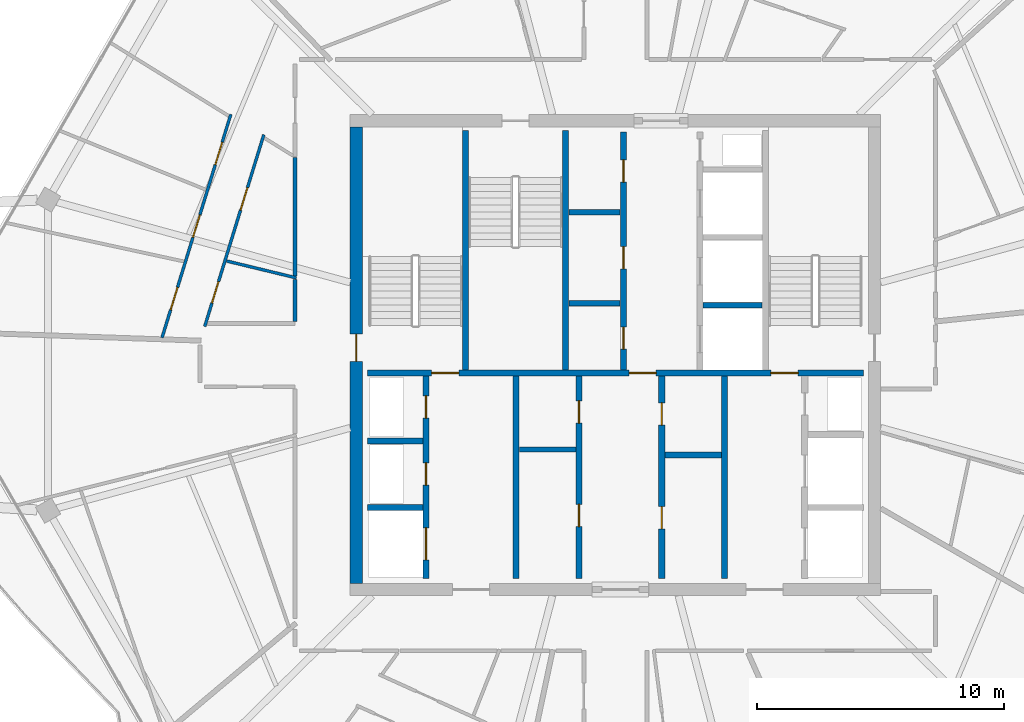
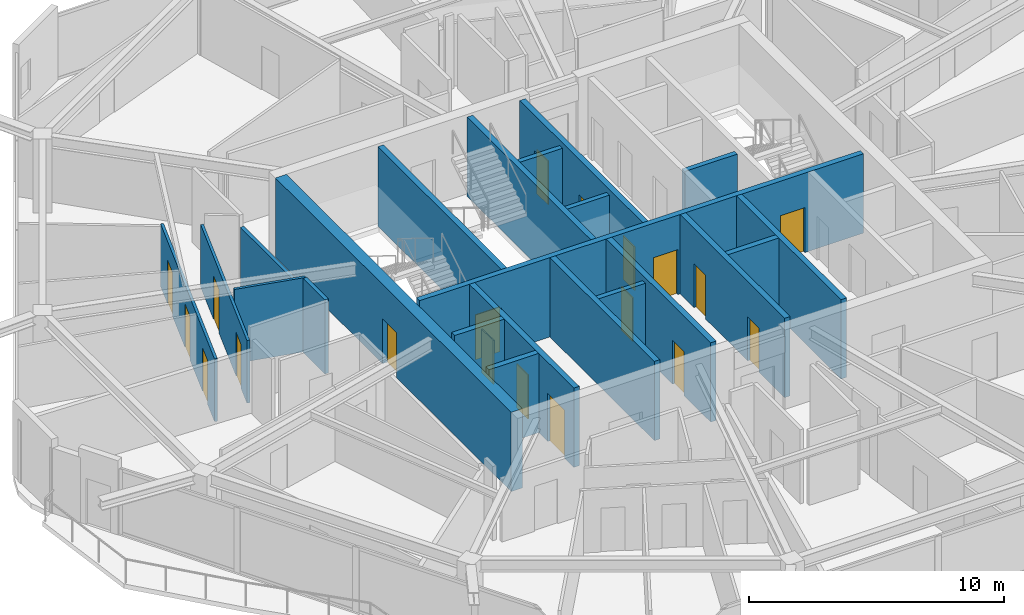
# One storey, part 13 of 18: 22 walls, 19 doors, 19 openings.
"""IFC4 building model written with IfcOpenShell, lengths in metres."""

from ifc_helpers import new_model, si_unit, direction, frame, frame_2d, origin, place, context, subcontext, project, spatial, rectangle, extrude, material, layer, layer_set, type_object, element, fill, save


model = new_model("IFC4")

# Units and contexts
model_context = context("Model", 3, precision=1e-05, world=origin(), true_north=direction((0.0, 1.0)))
body_context = subcontext(model_context, "Body", "Model", "MODEL_VIEW")
ifc_project = project(units=[si_unit("LENGTHUNIT", "METRE"), si_unit("AREAUNIT", "SQUARE_METRE"), si_unit("VOLUMEUNIT", "CUBIC_METRE"), si_unit("PLANEANGLEUNIT", "RADIAN"), si_unit("MASSUNIT", "GRAM", prefix="KILO")], contexts=[model_context])

# Site, building, storey
site_placement = place(None, origin())
site = spatial("IfcSite", under=ifc_project, at=site_placement, CompositionType="ELEMENT")
building_placement = place(site_placement, origin())
building = spatial("IfcBuilding", under=site, at=building_placement, Name="Zuhravey Tower", CompositionType="ELEMENT")
storey_placement = place(building_placement, frame((0.0, 0.0, 342.39990234375)))
storey = spatial("IfcBuildingStorey", under=building, at=storey_placement, Name="L87", CompositionType="ELEMENT", Elevation=342.39990234375)

# Wall, opening, door
ifc_material_1 = material(Name="Concrete C50/60", Category="concrete")
ifc_layer_1 = layer(ifc_material_1, 0.5)
ifc_layer_set_1 = layer_set([ifc_layer_1], Name="Concrete C50/60")
wall_type_1 = type_object("IfcWallType", Name="Core Shear Wall 500", PredefinedType="SHEAR", material=ifc_layer_set_1)
wall_1_placement = place(storey_placement, frame((25.5, 22.75, 0.0), z_axis=(0.0, 0.0, 1.0), x_axis=(0.0, 1.0, 0.0)))
wall_1 = element("IfcWall", 1, at=wall_1_placement, inside=storey, type_object=wall_type_1, Name="L87 West Core Shear Wall CW50", PredefinedType="SHEAR", context=body_context, shape_type="SweptSolid", body=[
    extrude(rectangle(XDim=18.5, YDim=0.5, at=frame_2d((9.25, 0.0))), origin(), (0.0, 0.0, 1.0), 3.800048828125),
])
opening_1_placement = place(wall_1_placement, frame((9.0, 0.0, 0.0)))
opening_1 = element("IfcOpeningElement", 2, at=opening_1_placement, cuts=wall_1, Name="Opening STD1", PredefinedType="OPENING", context=body_context, shape_type="SweptSolid", body=[
    extrude(rectangle(XDim=1.10009765625, YDim=2.14990234375, at=frame_2d((0.550048828125, 1.074951171875))), frame((0.0, 0.261962890625, 0.0), z_axis=(0.0, -1.0, 0.0), x_axis=(1.0, 0.0, 0.0)), (0.0, 0.0, 1.0), 0.52392578125),
])
ifc_material_2 = material(Name="Galvanised fire-rated steel leaf", Category="steel")
door_type_1 = type_object("IfcDoorType", Name="Protected Stair Fire Door 1100x2150", OperationType="NOTDEFINED", PredefinedType="USERDEFINED", material=ifc_material_2)
door_1_placement = place(opening_1_placement, frame((1.10009765625, 0.0, 0.0), z_axis=(0.0, 0.0, 1.0), x_axis=(-1.0, 0.0, 0.0)))
door_1 = element("IfcDoor", 3, at=door_1_placement, inside=storey, type_object=door_type_1, Name="L87 Stair ST1 Door", ObjectType="EXITDOOR", OperationType="SINGLE_SWING_RIGHT", OverallHeight=2.14990234375, OverallWidth=1.10009765625, PredefinedType="USERDEFINED", context=body_context, shape_type="SweptSolid", body=[
    extrude(rectangle(XDim=1.10009765625, YDim=2.14990234375, at=frame_2d((0.550048828125, 1.074951171875))), frame((0.0, 0.02490234375, 0.0), z_axis=(0.0, -1.0, 0.0), x_axis=(1.0, 0.0, 0.0)), (0.0, 0.0, 1.0), 0.050048828125),
])
fill(opening_1, door_1)

# Walls
ifc_material_3 = material(Name="Gypsum fire-rated stud partition")
ifc_layer_2 = layer(ifc_material_3, 0.159912109375)
ifc_layer_set_2 = layer_set([ifc_layer_2], Name="Gypsum fire-rated stud partition")
wall_type_2 = type_object("IfcWallType", Name="Corridor Fire Partition 160", PredefinedType="PARTITIONING", material=ifc_layer_set_2)
wall_2_placement = place(storey_placement, frame((23.02001953125, 40.005615234375, 0.0), z_axis=(0.0, 0.0, 1.0), x_axis=(0.0, -1.0, 0.0)))
element("IfcWall", 4, at=wall_2_placement, inside=storey, type_object=wall_type_2, Name="L87 IW16 Partition 110", PredefinedType="PARTITIONING", context=body_context, shape_type="SweptSolid", body=[
    extrude(rectangle(XDim=4.792724609375, YDim=0.159912109375, at=frame_2d((2.396484375, 0.0))), origin(), (0.0, 0.0, 1.0), 3.0),
])
wall_3_placement = place(storey_placement, frame((23.02001953125, 35.072998046875, 0.0), z_axis=(0.0, 0.0, 1.0), x_axis=(0.0, -1.0, 0.0)))
element("IfcWall", 5, at=wall_3_placement, inside=storey, type_object=wall_type_2, Name="L87 IW16 Partition 112", PredefinedType="PARTITIONING", context=body_context, shape_type="SweptSolid", body=[
    extrude(rectangle(XDim=1.705078125, YDim=0.159912109375, at=frame_2d((0.8525390625, 0.0))), origin(), (0.0, 0.0, 1.0), 3.550048828125),
])

# Wall, openings, doors
ifc_layer_3 = layer(ifc_material_1, 0.25)
ifc_layer_set_3 = layer_set([ifc_layer_3], Name="Concrete C50/60")
wall_type_3 = type_object("IfcWallType", Name="Firefighting Shaft & Stair Wall 250", PredefinedType="SOLIDWALL", material=ifc_layer_set_3)
wall_4_placement = place(storey_placement, frame((25.949951171875, 31.27490234375, 0.0), z_axis=(0.0, 0.0, 1.0), x_axis=(1.0, 0.0, 0.0)))
wall_4 = element("IfcWall", 6, at=wall_4_placement, inside=storey, type_object=wall_type_3, Name="L87 FW25 Shaft Wall 003", PredefinedType="SOLIDWALL", context=body_context, shape_type="SweptSolid", body=[
    extrude(rectangle(XDim=20.10009765625, YDim=0.25, at=frame_2d((10.050048828125, 0.0))), origin(), (0.0, 0.0, 1.0), 3.800048828125),
])
opening_2_placement = place(wall_4_placement, frame((2.60009765625, 0.0, 0.0)))
opening_2 = element("IfcOpeningElement", 7, at=opening_2_placement, cuts=wall_4, Name="Opening STD1", PredefinedType="OPENING", context=body_context, shape_type="SweptSolid", body=[
    extrude(rectangle(XDim=1.10009765625, YDim=2.14990234375, at=frame_2d((0.550048828125, 1.074951171875))), frame((0.0, 0.136962890625, 0.0), z_axis=(0.0, -1.0, 0.0), x_axis=(1.0, 0.0, 0.0)), (0.0, 0.0, 1.0), 0.27392578125),
])
opening_3_placement = place(wall_4_placement, frame((10.60009765625, 0.0, 0.0)))
opening_3 = element("IfcOpeningElement", 8, at=opening_3_placement, cuts=wall_4, Name="Opening STD1", PredefinedType="OPENING", context=body_context, shape_type="SweptSolid", body=[
    extrude(rectangle(XDim=1.10009765625, YDim=2.14990234375, at=frame_2d((0.550048828125, 1.074951171875))), frame((0.0, 0.136962890625, 0.0), z_axis=(0.0, -1.0, 0.0), x_axis=(1.0, 0.0, 0.0)), (0.0, 0.0, 1.0), 0.27392578125),
])
opening_4_placement = place(wall_4_placement, frame((16.35009765625, 0.0, 0.0)))
opening_4 = element("IfcOpeningElement", 9, at=opening_4_placement, cuts=wall_4, Name="Opening STD1", PredefinedType="OPENING", context=body_context, shape_type="SweptSolid", body=[
    extrude(rectangle(XDim=1.10009765625, YDim=2.14990234375, at=frame_2d((0.550048828125, 1.074951171875))), frame((0.0, 0.136962890625, 0.0), z_axis=(0.0, -1.0, 0.0), x_axis=(1.0, 0.0, 0.0)), (0.0, 0.0, 1.0), 0.27392578125),
])
door_2_placement = place(opening_2_placement, origin())
door_2 = element("IfcDoor", 10, at=door_2_placement, inside=storey, type_object=door_type_1, Name="L87 FFL-W to ST1 Door", ObjectType="EXITDOOR", OperationType="SINGLE_SWING_LEFT", OverallHeight=2.14990234375, OverallWidth=1.10009765625, PredefinedType="USERDEFINED", context=body_context, shape_type="SweptSolid", body=[
    extrude(rectangle(XDim=1.10009765625, YDim=2.14990234375, at=frame_2d((0.550048828125, 1.074951171875))), frame((0.0, 0.02490234375, 0.0), z_axis=(0.0, -1.0, 0.0), x_axis=(1.0, 0.0, 0.0)), (0.0, 0.0, 1.0), 0.050048828125),
])
fill(opening_2, door_2)
door_3_placement = place(opening_3_placement, origin())
door_3 = element("IfcDoor", 11, at=door_3_placement, inside=storey, type_object=door_type_1, Name="L87 Core Lobby Link Door", ObjectType="EXITDOOR", OperationType="SINGLE_SWING_RIGHT", OverallHeight=2.14990234375, OverallWidth=1.10009765625, PredefinedType="USERDEFINED", context=body_context, shape_type="SweptSolid", body=[
    extrude(rectangle(XDim=1.10009765625, YDim=2.14990234375, at=frame_2d((0.550048828125, 1.074951171875))), frame((0.0, 0.02490234375, 0.0), z_axis=(0.0, -1.0, 0.0), x_axis=(1.0, 0.0, 0.0)), (0.0, 0.0, 1.0), 0.050048828125),
])
fill(opening_3, door_3)
door_4_placement = place(opening_4_placement, origin())
door_4 = element("IfcDoor", 12, at=door_4_placement, inside=storey, type_object=door_type_1, Name="L87 FFL-E to ST2 Door", ObjectType="EXITDOOR", OperationType="SINGLE_SWING_LEFT", OverallHeight=2.14990234375, OverallWidth=1.10009765625, PredefinedType="USERDEFINED", context=body_context, shape_type="SweptSolid", body=[
    extrude(rectangle(XDim=1.10009765625, YDim=2.14990234375, at=frame_2d((0.550048828125, 1.074951171875))), frame((0.0, 0.02490234375, 0.0), z_axis=(0.0, -1.0, 0.0), x_axis=(1.0, 0.0, 0.0)), (0.0, 0.0, 1.0), 0.050048828125),
])
fill(opening_4, door_4)

# Walls
for number, where, z_axis, x_axis, name in (
    (13, (29.925048828125, 31.39990234375, 0.0), (0.0, 0.0, 1.0), (0.0, 1.0, 0.0), "L87 FW25 Shaft Wall 004"),
    (14, (33.97509765625, 31.39990234375, 0.0), (0.0, 0.0, 1.0), (0.0, 1.0, 0.0), "L87 FW25 Shaft Wall 005"),
):
    element("IfcWall", number, at=place(storey_placement, frame(where, z_axis=z_axis, x_axis=x_axis)), inside=storey, type_object=wall_type_3, Name=name, PredefinedType="SOLIDWALL", context=body_context, shape_type="SweptSolid", body=[
        extrude(rectangle(XDim=9.7001953125, YDim=0.25, at=frame_2d((4.85009765625, 0.0))), origin(), (0.0, 0.0, 1.0), 3.800048828125),
    ])

# Wall, openings, doors
wall_5_placement = place(storey_placement, frame((36.324951171875, 31.39990234375, 0.0), z_axis=(0.0, 0.0, 1.0), x_axis=(0.0, 1.0, 0.0)))
wall_5 = element("IfcWall", 15, at=wall_5_placement, inside=storey, type_object=wall_type_3, Name="L87 FW25 Shaft Wall 007", PredefinedType="SOLIDWALL", context=body_context, shape_type="SweptSolid", body=[
    extrude(rectangle(XDim=9.650146484375, YDim=0.25, at=frame_2d((4.8251953125, 0.0))), origin(), (0.0, 0.0, 1.0), 3.800048828125),
])
opening_5_placement = place(wall_5_placement, frame((0.840087890625, 0.0, 0.0)))
opening_5 = element("IfcOpeningElement", 16, at=opening_5_placement, cuts=wall_5, Name="Opening RSD1", PredefinedType="OPENING", context=body_context, shape_type="SweptSolid", body=[
    extrude(rectangle(XDim=0.89990234375, YDim=2.10009765625, at=frame_2d((0.449951171875, 1.050048828125))), frame((0.0, 0.136962890625, 0.0), z_axis=(0.0, -1.0, 0.0), x_axis=(1.0, 0.0, 0.0)), (0.0, 0.0, 1.0), 0.27392578125),
])
opening_6_placement = place(wall_5_placement, frame((4.10009765625, 0.0, 0.0)))
opening_6 = element("IfcOpeningElement", 17, at=opening_6_placement, cuts=wall_5, Name="Opening RSD1", PredefinedType="OPENING", context=body_context, shape_type="SweptSolid", body=[
    extrude(rectangle(XDim=0.89990234375, YDim=2.10009765625, at=frame_2d((0.449951171875, 1.050048828125))), frame((0.0, 0.136962890625, 0.0), z_axis=(0.0, -1.0, 0.0), x_axis=(1.0, 0.0, 0.0)), (0.0, 0.0, 1.0), 0.27392578125),
])
opening_7_placement = place(wall_5_placement, frame((7.610107421875, 0.0, 0.0)))
opening_7 = element("IfcOpeningElement", 18, at=opening_7_placement, cuts=wall_5, Name="Opening RSD1", PredefinedType="OPENING", context=body_context, shape_type="SweptSolid", body=[
    extrude(rectangle(XDim=0.89990234375, YDim=2.10009765625, at=frame_2d((0.449951171875, 1.050048828125))), frame((0.0, 0.136962890625, 0.0), z_axis=(0.0, -1.0, 0.0), x_axis=(1.0, 0.0, 0.0)), (0.0, 0.0, 1.0), 0.27392578125),
])
ifc_material_4 = material(Name="Galvanised fire-rated steel access leaf", Category="steel")
door_type_2 = type_object("IfcDoorType", Name="Riser & Shaft Access Fire Door 900x2100", OperationType="NOTDEFINED", PredefinedType="DOOR", material=ifc_material_4)
door_5_placement = place(opening_5_placement, origin())
door_5 = element("IfcDoor", 19, at=door_5_placement, inside=storey, type_object=door_type_2, Name="L87 Core Staff WC Door", OperationType="SINGLE_SWING_RIGHT", OverallHeight=2.10009765625, OverallWidth=0.89990234375, PredefinedType="DOOR", context=body_context, shape_type="SweptSolid", body=[
    extrude(rectangle(XDim=0.89990234375, YDim=2.10009765625, at=frame_2d((0.449951171875, 1.050048828125))), frame((0.0, 0.02490234375, 0.0), z_axis=(0.0, -1.0, 0.0), x_axis=(1.0, 0.0, 0.0)), (0.0, 0.0, 1.0), 0.050048828125),
])
fill(opening_5, door_5)
door_6_placement = place(opening_6_placement, origin())
door_6 = element("IfcDoor", 20, at=door_6_placement, inside=storey, type_object=door_type_2, Name="L87 IT and Comms Room Door", OperationType="SINGLE_SWING_LEFT", OverallHeight=2.10009765625, OverallWidth=0.89990234375, PredefinedType="DOOR", context=body_context, shape_type="SweptSolid", body=[
    extrude(rectangle(XDim=0.89990234375, YDim=2.10009765625, at=frame_2d((0.449951171875, 1.050048828125))), frame((0.0, 0.02490234375, 0.0), z_axis=(0.0, -1.0, 0.0), x_axis=(1.0, 0.0, 0.0)), (0.0, 0.0, 1.0), 0.050048828125),
])
fill(opening_6, door_6)
door_7_placement = place(opening_7_placement, origin())
door_7 = element("IfcDoor", 21, at=door_7_placement, inside=storey, type_object=door_type_2, Name="L87 Janitor Linen Store Door", OperationType="SINGLE_SWING_RIGHT", OverallHeight=2.10009765625, OverallWidth=0.89990234375, PredefinedType="DOOR", context=body_context, shape_type="SweptSolid", body=[
    extrude(rectangle(XDim=0.89990234375, YDim=2.10009765625, at=frame_2d((0.449951171875, 1.050048828125))), frame((0.0, 0.02490234375, 0.0), z_axis=(0.0, -1.0, 0.0), x_axis=(1.0, 0.0, 0.0)), (0.0, 0.0, 1.0), 0.050048828125),
])
fill(opening_7, door_7)

# Walls
for number, where, z_axis, x_axis, name in (
    (22, (25.949951171875, 25.824951171875, 0.0), (0.0, 0.0, 1.0), (1.0, 0.0, 0.0), "L87 FW25 Shaft Wall 009"),
    (23, (25.949951171875, 28.52490234375, 0.0), (0.0, 0.0, 1.0), (1.0, 0.0, 0.0), "L87 FW25 Shaft Wall 010"),
):
    element("IfcWall", number, at=place(storey_placement, frame(where, z_axis=z_axis, x_axis=x_axis)), inside=storey, type_object=wall_type_3, Name=name, PredefinedType="SOLIDWALL", context=body_context, shape_type="SweptSolid", body=[
        extrude(rectangle(XDim=2.25, YDim=0.25, at=frame_2d((1.125, 0.0))), origin(), (0.0, 0.0, 1.0), 3.800048828125),
    ])

# Wall, openings, doors
wall_6_placement = place(storey_placement, frame((28.324951171875, 22.949951171875, 0.0), z_axis=(0.0, 0.0, 1.0), x_axis=(0.0, 1.0, 0.0)))
wall_6 = element("IfcWall", 24, at=wall_6_placement, inside=storey, type_object=wall_type_3, Name="L87 FW25 Shaft Wall 011", PredefinedType="SOLIDWALL", context=body_context, shape_type="SweptSolid", body=[
    extrude(rectangle(XDim=8.199951171875, YDim=0.25, at=frame_2d((4.10009765625, 0.0))), origin(), (0.0, 0.0, 1.0), 3.800048828125),
])
opening_8_placement = place(wall_6_placement, frame((0.75, 0.0, 0.0)))
opening_8 = element("IfcOpeningElement", 25, at=opening_8_placement, cuts=wall_6, Name="Opening LD2", PredefinedType="OPENING", context=body_context, shape_type="SweptSolid", body=[
    extrude(rectangle(XDim=1.300048828125, YDim=2.300048828125, at=frame_2d((0.64990234375, 1.14990234375))), frame((0.0, 0.136962890625, 0.0), z_axis=(0.0, -1.0, 0.0), x_axis=(1.0, 0.0, 0.0)), (0.0, 0.0, 1.0), 0.27392578125),
])
opening_9_placement = place(wall_6_placement, frame((3.780029296875, 0.0, 0.0)))
opening_9 = element("IfcOpeningElement", 26, at=opening_9_placement, cuts=wall_6, Name="Opening RSD1", PredefinedType="OPENING", context=body_context, shape_type="SweptSolid", body=[
    extrude(rectangle(XDim=0.89990234375, YDim=2.10009765625, at=frame_2d((0.449951171875, 1.050048828125))), frame((0.0, 0.136962890625, 0.0), z_axis=(0.0, -1.0, 0.0), x_axis=(1.0, 0.0, 0.0)), (0.0, 0.0, 1.0), 0.27392578125),
])
opening_10_placement = place(wall_6_placement, frame((6.5, 0.0, 0.0)))
opening_10 = element("IfcOpeningElement", 27, at=opening_10_placement, cuts=wall_6, Name="Opening RSD1", PredefinedType="OPENING", context=body_context, shape_type="SweptSolid", body=[
    extrude(rectangle(XDim=0.89990234375, YDim=2.10009765625, at=frame_2d((0.449951171875, 1.050048828125))), frame((0.0, 0.136962890625, 0.0), z_axis=(0.0, -1.0, 0.0), x_axis=(1.0, 0.0, 0.0)), (0.0, 0.0, 1.0), 0.27392578125),
])
ifc_material_5 = material(Name="Brushed stainless steel", Category="steel")
door_type_3 = type_object("IfcDoorType", Name="Freight & Stretcher Lift Sliding Door 1300x2300", OperationType="DOUBLE_DOOR_SLIDING", PredefinedType="DOOR", material=ifc_material_5)
door_8_placement = place(opening_8_placement, frame((1.300048828125, 0.0, 0.0), z_axis=(0.0, 0.0, 1.0), x_axis=(-1.0, 0.0, 0.0)))
door_8 = element("IfcDoor", 28, at=door_8_placement, inside=storey, type_object=door_type_3, Name="L87 Lift FF1 Landing Door", OperationType="DOUBLE_DOOR_SLIDING", OverallHeight=2.300048828125, OverallWidth=1.300048828125, PredefinedType="DOOR", context=body_context, shape_type="SweptSolid", body=[
    extrude(rectangle(XDim=1.300048828125, YDim=2.300048828125, at=frame_2d((0.64990234375, 1.14990234375))), frame((0.0, 0.02490234375, 0.0), z_axis=(0.0, -1.0, 0.0), x_axis=(1.0, 0.0, 0.0)), (0.0, 0.0, 1.0), 0.050048828125),
])
fill(opening_8, door_8)
door_9_placement = place(opening_9_placement, frame((0.89990234375, 0.0, 0.0), z_axis=(0.0, 0.0, 1.0), x_axis=(-1.0, 0.0, 0.0)))
door_9 = element("IfcDoor", 29, at=door_9_placement, inside=storey, type_object=door_type_2, Name="L87 Electrical Riser Door", OperationType="SINGLE_SWING_RIGHT", OverallHeight=2.10009765625, OverallWidth=0.89990234375, PredefinedType="DOOR", context=body_context, shape_type="SweptSolid", body=[
    extrude(rectangle(XDim=0.89990234375, YDim=2.10009765625, at=frame_2d((0.449951171875, 1.050048828125))), frame((0.0, 0.02490234375, 0.0), z_axis=(0.0, -1.0, 0.0), x_axis=(1.0, 0.0, 0.0)), (0.0, 0.0, 1.0), 0.050048828125),
])
fill(opening_9, door_9)
door_10_placement = place(opening_10_placement, frame((0.89990234375, 0.0, 0.0), z_axis=(0.0, 0.0, 1.0), x_axis=(-1.0, 0.0, 0.0)))
door_10 = element("IfcDoor", 30, at=door_10_placement, inside=storey, type_object=door_type_2, Name="L87 Smoke Shaft Access Door", OperationType="SINGLE_SWING_LEFT", OverallHeight=2.10009765625, OverallWidth=0.89990234375, PredefinedType="DOOR", context=body_context, shape_type="SweptSolid", body=[
    extrude(rectangle(XDim=0.89990234375, YDim=2.10009765625, at=frame_2d((0.449951171875, 1.050048828125))), frame((0.0, 0.02490234375, 0.0), z_axis=(0.0, -1.0, 0.0), x_axis=(1.0, 0.0, 0.0)), (0.0, 0.0, 1.0), 0.050048828125),
])
fill(opening_10, door_10)

# Wall
wall_7_placement = place(storey_placement, frame((31.97509765625, 22.949951171875, 0.0), z_axis=(0.0, 0.0, 1.0), x_axis=(0.0, 1.0, 0.0)))
element("IfcWall", 31, at=wall_7_placement, inside=storey, type_object=wall_type_3, Name="L87 FW25 Shaft Wall 012", PredefinedType="SOLIDWALL", context=body_context, shape_type="SweptSolid", body=[
    extrude(rectangle(XDim=8.199951171875, YDim=0.25, at=frame_2d((4.10009765625, 0.0))), origin(), (0.0, 0.0, 1.0), 3.800048828125),
])

# Wall, openings, doors
wall_8_placement = place(storey_placement, frame((34.52490234375, 22.949951171875, 0.0), z_axis=(0.0, 0.0, 1.0), x_axis=(0.0, 1.0, 0.0)))
wall_8 = element("IfcWall", 32, at=wall_8_placement, inside=storey, type_object=wall_type_3, Name="L87 FW25 Shaft Wall 013", PredefinedType="SOLIDWALL", context=body_context, shape_type="SweptSolid", body=[
    extrude(rectangle(XDim=8.199951171875, YDim=0.25, at=frame_2d((4.10009765625, 0.0))), origin(), (0.0, 0.0, 1.0), 3.800048828125),
])
opening_11_placement = place(wall_8_placement, frame((2.10009765625, 0.0, 0.0)))
opening_11 = element("IfcOpeningElement", 33, at=opening_11_placement, cuts=wall_8, Name="Opening RSD1", PredefinedType="OPENING", context=body_context, shape_type="SweptSolid", body=[
    extrude(rectangle(XDim=0.89990234375, YDim=2.10009765625, at=frame_2d((0.449951171875, 1.050048828125))), frame((0.0, 0.136962890625, 0.0), z_axis=(0.0, -1.0, 0.0), x_axis=(1.0, 0.0, 0.0)), (0.0, 0.0, 1.0), 0.27392578125),
])
opening_12_placement = place(wall_8_placement, frame((6.300048828125, 0.0, 0.0)))
opening_12 = element("IfcOpeningElement", 34, at=opening_12_placement, cuts=wall_8, Name="Opening RSD1", PredefinedType="OPENING", context=body_context, shape_type="SweptSolid", body=[
    extrude(rectangle(XDim=0.89990234375, YDim=2.10009765625, at=frame_2d((0.449951171875, 1.050048828125))), frame((0.0, 0.136962890625, 0.0), z_axis=(0.0, -1.0, 0.0), x_axis=(1.0, 0.0, 0.0)), (0.0, 0.0, 1.0), 0.27392578125),
])
door_11_placement = place(opening_11_placement, origin())
door_11 = element("IfcDoor", 35, at=door_11_placement, inside=storey, type_object=door_type_2, Name="L87 Housekeeping Store Door", OperationType="SINGLE_SWING_RIGHT", OverallHeight=2.10009765625, OverallWidth=0.89990234375, PredefinedType="DOOR", context=body_context, shape_type="SweptSolid", body=[
    extrude(rectangle(XDim=0.89990234375, YDim=2.10009765625, at=frame_2d((0.449951171875, 1.050048828125))), frame((0.0, 0.02490234375, 0.0), z_axis=(0.0, -1.0, 0.0), x_axis=(1.0, 0.0, 0.0)), (0.0, 0.0, 1.0), 0.050048828125),
])
fill(opening_11, door_11)
door_12_placement = place(opening_12_placement, origin())
door_12 = element("IfcDoor", 36, at=door_12_placement, inside=storey, type_object=door_type_2, Name="L87 Comms Closet Door", OperationType="SINGLE_SWING_LEFT", OverallHeight=2.10009765625, OverallWidth=0.89990234375, PredefinedType="DOOR", context=body_context, shape_type="SweptSolid", body=[
    extrude(rectangle(XDim=0.89990234375, YDim=2.10009765625, at=frame_2d((0.449951171875, 1.050048828125))), frame((0.0, 0.02490234375, 0.0), z_axis=(0.0, -1.0, 0.0), x_axis=(1.0, 0.0, 0.0)), (0.0, 0.0, 1.0), 0.050048828125),
])
fill(opening_12, door_12)

# Wall
wall_9_placement = place(storey_placement, frame((38.0, 27.949951171875, 0.0), z_axis=(0.0, 0.0, 1.0), x_axis=(1.0, 0.0, 0.0)))
element("IfcWall", 37, at=wall_9_placement, inside=storey, type_object=wall_type_3, Name="L87 FW25 Shaft Wall 014", PredefinedType="SOLIDWALL", context=body_context, shape_type="SweptSolid", body=[
    extrude(rectangle(XDim=2.300048828125, YDim=0.25, at=frame_2d((1.14990234375, 0.0))), origin(), (0.0, 0.0, 1.0), 3.800048828125),
])

# Wall, openings, doors
wall_10_placement = place(storey_placement, frame((37.875, 22.949951171875, 0.0), z_axis=(0.0, 0.0, 1.0), x_axis=(0.0, 1.0, 0.0)))
wall_10 = element("IfcWall", 38, at=wall_10_placement, inside=storey, type_object=wall_type_3, Name="L87 FW25 Shaft Wall 015", PredefinedType="SOLIDWALL", context=body_context, shape_type="SweptSolid", body=[
    extrude(rectangle(XDim=8.199951171875, YDim=0.25, at=frame_2d((4.10009765625, 0.0))), origin(), (0.0, 0.0, 1.0), 3.800048828125),
])
opening_13_placement = place(wall_10_placement, frame((2.012451171875, 0.0, 0.0)))
opening_13 = element("IfcOpeningElement", 39, at=opening_13_placement, cuts=wall_10, Name="Opening RSD1", PredefinedType="OPENING", context=body_context, shape_type="SweptSolid", body=[
    extrude(rectangle(XDim=0.89990234375, YDim=2.10009765625, at=frame_2d((0.449951171875, 1.050048828125))), frame((0.0, 0.136962890625, 0.0), z_axis=(0.0, -1.0, 0.0), x_axis=(1.0, 0.0, 0.0)), (0.0, 0.0, 1.0), 0.27392578125),
])
opening_14_placement = place(wall_10_placement, frame((6.21240234375, 0.0, 0.0)))
opening_14 = element("IfcOpeningElement", 40, at=opening_14_placement, cuts=wall_10, Name="Opening RSD1", PredefinedType="OPENING", context=body_context, shape_type="SweptSolid", body=[
    extrude(rectangle(XDim=0.89990234375, YDim=2.10009765625, at=frame_2d((0.449951171875, 1.050048828125))), frame((0.0, 0.136962890625, 0.0), z_axis=(0.0, -1.0, 0.0), x_axis=(1.0, 0.0, 0.0)), (0.0, 0.0, 1.0), 0.27392578125),
])
door_13_placement = place(opening_13_placement, frame((0.89990234375, 0.0, 0.0), z_axis=(0.0, 0.0, 1.0), x_axis=(-1.0, 0.0, 0.0)))
door_13 = element("IfcDoor", 41, at=door_13_placement, inside=storey, type_object=door_type_2, Name="L87 Trunk Store Door", OperationType="SINGLE_SWING_RIGHT", OverallHeight=2.10009765625, OverallWidth=0.89990234375, PredefinedType="DOOR", context=body_context, shape_type="SweptSolid", body=[
    extrude(rectangle(XDim=0.89990234375, YDim=2.10009765625, at=frame_2d((0.449951171875, 1.050048828125))), frame((0.0, 0.02490234375, 0.0), z_axis=(0.0, -1.0, 0.0), x_axis=(1.0, 0.0, 0.0)), (0.0, 0.0, 1.0), 0.050048828125),
])
fill(opening_13, door_13)
door_14_placement = place(opening_14_placement, frame((0.89990234375, 0.0, 0.0), z_axis=(0.0, 0.0, 1.0), x_axis=(-1.0, 0.0, 0.0)))
door_14 = element("IfcDoor", 42, at=door_14_placement, inside=storey, type_object=door_type_2, Name="L87 Fiber Room Door", OperationType="SINGLE_SWING_LEFT", OverallHeight=2.10009765625, OverallWidth=0.89990234375, PredefinedType="DOOR", context=body_context, shape_type="SweptSolid", body=[
    extrude(rectangle(XDim=0.89990234375, YDim=2.10009765625, at=frame_2d((0.449951171875, 1.050048828125))), frame((0.0, 0.02490234375, 0.0), z_axis=(0.0, -1.0, 0.0), x_axis=(1.0, 0.0, 0.0)), (0.0, 0.0, 1.0), 0.050048828125),
])
fill(opening_14, door_14)

# Walls
wall_11_placement = place(storey_placement, frame((40.425048828125, 22.949951171875, 0.0), z_axis=(0.0, 0.0, 1.0), x_axis=(0.0, 1.0, 0.0)))
element("IfcWall", 43, at=wall_11_placement, inside=storey, type_object=wall_type_3, Name="L87 FW25 Shaft Wall 016", PredefinedType="SOLIDWALL", context=body_context, shape_type="SweptSolid", body=[
    extrude(rectangle(XDim=8.199951171875, YDim=0.25, at=frame_2d((4.10009765625, 0.0))), origin(), (0.0, 0.0, 1.0), 3.800048828125),
])
ifc_material_6 = material(Name="Gypsum acoustic stud assembly")
ifc_layer_4 = layer(ifc_material_6, 0.219970703125)
ifc_layer_set_4 = layer_set([ifc_layer_4], Name="Gypsum acoustic stud assembly")
wall_type_4 = type_object("IfcWallType", Name="School Acoustic Compartment Wall 220", PredefinedType="PARTITIONING", material=ifc_layer_set_4)
for number, where, z_axis, x_axis, name in (
    (44, (34.10791015625, 34.10009765625, 0.0), (0.0, 0.0, 1.0), (1.0, 0.0, 0.0), "L87 IW22 Partition 051"),
    (45, (34.10791015625, 37.800048828125, 0.0), (0.0, 0.0, 1.0), (1.0, 0.0, 0.0), "L87 IW22 Partition 052"),
):
    element("IfcWall", number, at=place(storey_placement, frame(where, z_axis=z_axis, x_axis=x_axis)), inside=storey, type_object=wall_type_4, Name=name, PredefinedType="PARTITIONING", context=body_context, shape_type="SweptSolid", body=[
        extrude(rectangle(XDim=2.083984375, YDim=0.219970703125, at=frame_2d((1.0419921875, 0.0))), origin(), (0.0, 0.0, 1.0), 3.550048828125),
    ])
wall_12_placement = place(storey_placement, frame((39.55810546875, 34.02490234375, 0.0), z_axis=(0.0, 0.0, 1.0), x_axis=(1.0, 0.0, 0.0)))
element("IfcWall", 46, at=wall_12_placement, inside=storey, type_object=wall_type_4, Name="L87 IW22 Partition 053", PredefinedType="PARTITIONING", context=body_context, shape_type="SweptSolid", body=[
    extrude(rectangle(XDim=2.3837890625, YDim=0.219970703125, at=frame_2d((1.19189453125, 0.0))), origin(), (0.0, 0.0, 1.0), 3.550048828125),
])
wall_13_placement = place(storey_placement, frame((32.10791015625, 28.175048828125, 0.0), z_axis=(0.0, 0.0, 1.0), x_axis=(1.0, 0.0, 0.0)))
element("IfcWall", 47, at=wall_13_placement, inside=storey, type_object=wall_type_4, Name="L87 IW22 Partition 056", PredefinedType="PARTITIONING", context=body_context, shape_type="SweptSolid", body=[
    extrude(rectangle(XDim=2.2841796875, YDim=0.219970703125, at=frame_2d((1.14208984375, 0.0))), origin(), (0.0, 0.0, 1.0), 3.550048828125),
])

# Wall, openings, doors
ifc_material_7 = material(Name="Gypsum metal-stud partition")
ifc_layer_5 = layer(ifc_material_7, 0.1201171875)
ifc_layer_set_5 = layer_set([ifc_layer_5], Name="Gypsum metal-stud partition")
wall_type_5 = type_object("IfcWallType", Name="Unit Internal Partition 120", PredefinedType="PARTITIONING", material=ifc_layer_set_5)
wall_14_placement = place(storey_placement, frame((21.747802734375, 40.93359375, 0.0), z_axis=(0.0, 0.0, 1.0), x_axis=(-0.294353697783, -0.955696552574, 0.0)))
wall_14 = element("IfcWall", 48, at=wall_14_placement, inside=storey, type_object=wall_type_5, Name="L87 IW12 Partition 027", PredefinedType="PARTITIONING", context=body_context, shape_type="SweptSolid", body=[
    extrude(rectangle(XDim=8.134033203125, YDim=0.1201171875, at=frame_2d((4.06689453125, 0.0))), origin(), (0.0, 0.0, 1.0), 3.0),
])
opening_15_placement = place(wall_14_placement, frame((2.24609375, 0.0, 0.0)))
opening_15 = element("IfcOpeningElement", 49, at=opening_15_placement, cuts=wall_14, Name="Opening IND1", PredefinedType="OPENING", context=body_context, shape_type="SweptSolid", body=[
    extrude(rectangle(XDim=0.949951171875, YDim=2.10009765625, at=frame_2d((0.47509765625, 1.050048828125))), frame((0.0, 0.072021484375, 0.0), z_axis=(0.0, -1.0, 0.0), x_axis=(1.0, 0.0, 0.0)), (0.0, 0.0, 1.0), 0.14404296875),
])
opening_16_placement = place(wall_14_placement, frame((6.23388671875, 0.0, 0.0)))
opening_16 = element("IfcOpeningElement", 50, at=opening_16_placement, cuts=wall_14, Name="Opening WCD1", PredefinedType="OPENING", context=body_context, shape_type="SweptSolid", body=[
    extrude(rectangle(XDim=0.89990234375, YDim=2.10009765625, at=frame_2d((0.449951171875, 1.050048828125))), frame((0.0, 0.072021484375, 0.0), z_axis=(0.0, -1.0, 0.0), x_axis=(1.0, 0.0, 0.0)), (0.0, 0.0, 1.0), 0.14404296875),
])
ifc_material_8 = material(Name="Moisture-resistant timber leaf", Category="wood")
door_type_4 = type_object("IfcDoorType", Name="Bathroom & WC Internal Door 900x2100", OperationType="NOTDEFINED", PredefinedType="DOOR", material=ifc_material_8)
door_15_placement = place(opening_16_placement, origin())
door_15 = element("IfcDoor", 51, at=door_15_placement, inside=storey, type_object=door_type_4, Name="Apartment L87-03 Bathroom Door", OperationType="SINGLE_SWING_RIGHT", OverallHeight=2.10009765625, OverallWidth=0.89990234375, PredefinedType="DOOR", context=body_context, shape_type="SweptSolid", body=[
    extrude(rectangle(XDim=0.89990234375, YDim=2.10009765625, at=frame_2d((0.449951171875, 1.050048828125))), frame((0.0, 0.02490234375, 0.0), z_axis=(0.0, -1.0, 0.0), x_axis=(1.0, 0.0, 0.0)), (0.0, 0.0, 1.0), 0.050048828125),
])
fill(opening_16, door_15)
ifc_material_9 = material(Name="Painted engineered timber leaf", Category="wood")
door_type_5 = type_object("IfcDoorType", Name="Internal Room & Bedroom Door 950x2100", OperationType="NOTDEFINED", PredefinedType="DOOR", material=ifc_material_9)
door_16_placement = place(opening_15_placement, origin())
door_16 = element("IfcDoor", 52, at=door_16_placement, inside=storey, type_object=door_type_5, Name="Apartment L87-03 Kitchen Door", OperationType="SINGLE_SWING_LEFT", OverallHeight=2.10009765625, OverallWidth=0.949951171875, PredefinedType="DOOR", context=body_context, shape_type="SweptSolid", body=[
    extrude(rectangle(XDim=0.949951171875, YDim=2.10009765625, at=frame_2d((0.47509765625, 1.050048828125))), frame((0.0, 0.02490234375, 0.0), z_axis=(0.0, -1.0, 0.0), x_axis=(1.0, 0.0, 0.0)), (0.0, 0.0, 1.0), 0.050048828125),
])
fill(opening_15, door_16)

wall_15_placement = place(storey_placement, frame((20.411865234375, 41.760009765625, 0.0), z_axis=(0.0, 0.0, 1.0), x_axis=(-0.294382698644, -0.955687619853, 0.0)))
wall_15 = element("IfcWall", 53, at=wall_15_placement, inside=storey, type_object=wall_type_5, Name="L87 IW12 Partition 028", PredefinedType="PARTITIONING", context=body_context, shape_type="SweptSolid", body=[
    extrude(rectangle(XDim=9.4775390625, YDim=0.1201171875, at=frame_2d((4.73876953125, 0.0))), origin(), (0.0, 0.0, 1.0), 3.0),
])
opening_17_placement = place(wall_15_placement, frame((1.186767578125, 0.0, 0.0)))
opening_17 = element("IfcOpeningElement", 54, at=opening_17_placement, cuts=wall_15, Name="Opening IND1", PredefinedType="OPENING", context=body_context, shape_type="SweptSolid", body=[
    extrude(rectangle(XDim=0.949951171875, YDim=2.10009765625, at=frame_2d((0.47509765625, 1.050048828125))), frame((0.0, 0.072021484375, 0.0), z_axis=(0.0, -1.0, 0.0), x_axis=(1.0, 0.0, 0.0)), (0.0, 0.0, 1.0), 0.14404296875),
])
opening_18_placement = place(wall_15_placement, frame((4.263916015625, 0.0, 0.0)))
opening_18 = element("IfcOpeningElement", 55, at=opening_18_placement, cuts=wall_15, Name="Opening IND1", PredefinedType="OPENING", context=body_context, shape_type="SweptSolid", body=[
    extrude(rectangle(XDim=0.949951171875, YDim=2.10009765625, at=frame_2d((0.47509765625, 1.050048828125))), frame((0.0, 0.072021484375, 0.0), z_axis=(0.0, -1.0, 0.0), x_axis=(1.0, 0.0, 0.0)), (0.0, 0.0, 1.0), 0.14404296875),
])
opening_19_placement = place(wall_15_placement, frame((7.3408203125, 0.0, 0.0)))
opening_19 = element("IfcOpeningElement", 56, at=opening_19_placement, cuts=wall_15, Name="Opening IND1", PredefinedType="OPENING", context=body_context, shape_type="SweptSolid", body=[
    extrude(rectangle(XDim=0.949951171875, YDim=2.10009765625, at=frame_2d((0.47509765625, 1.050048828125))), frame((0.0, 0.072021484375, 0.0), z_axis=(0.0, -1.0, 0.0), x_axis=(1.0, 0.0, 0.0)), (0.0, 0.0, 1.0), 0.14404296875),
])
door_17_placement = place(opening_17_placement, frame((0.949951171875, 0.0, 0.0), z_axis=(0.0, 0.0, 1.0), x_axis=(-1.0, 0.0, 0.0)))
door_17 = element("IfcDoor", 57, at=door_17_placement, inside=storey, type_object=door_type_5, Name="Apartment L87-03 Bedroom 1 Door", OperationType="SINGLE_SWING_LEFT", OverallHeight=2.10009765625, OverallWidth=0.949951171875, PredefinedType="DOOR", context=body_context, shape_type="SweptSolid", body=[
    extrude(rectangle(XDim=0.949951171875, YDim=2.10009765625, at=frame_2d((0.47509765625, 1.050048828125))), frame((0.0, 0.02490234375, 0.0), z_axis=(0.0, -1.0, 0.0), x_axis=(1.0, 0.0, 0.0)), (0.0, 0.0, 1.0), 0.050048828125),
])
fill(opening_17, door_17)
door_18_placement = place(opening_18_placement, frame((0.949951171875, 0.0, 0.0), z_axis=(0.0, 0.0, 1.0), x_axis=(-1.0, 0.0, 0.0)))
door_18 = element("IfcDoor", 58, at=door_18_placement, inside=storey, type_object=door_type_5, Name="Apartment L87-03 Bedroom 2 Door", OperationType="SINGLE_SWING_RIGHT", OverallHeight=2.10009765625, OverallWidth=0.949951171875, PredefinedType="DOOR", context=body_context, shape_type="SweptSolid", body=[
    extrude(rectangle(XDim=0.949951171875, YDim=2.10009765625, at=frame_2d((0.47509765625, 1.050048828125))), frame((0.0, 0.02490234375, 0.0), z_axis=(0.0, -1.0, 0.0), x_axis=(1.0, 0.0, 0.0)), (0.0, 0.0, 1.0), 0.050048828125),
])
fill(opening_18, door_18)
door_19_placement = place(opening_19_placement, frame((0.949951171875, 0.0, 0.0), z_axis=(0.0, 0.0, 1.0), x_axis=(-1.0, 0.0, 0.0)))
door_19 = element("IfcDoor", 59, at=door_19_placement, inside=storey, type_object=door_type_5, Name="Apartment L87-03 Bedroom 3 Door", OperationType="SINGLE_SWING_LEFT", OverallHeight=2.10009765625, OverallWidth=0.949951171875, PredefinedType="DOOR", context=body_context, shape_type="SweptSolid", body=[
    extrude(rectangle(XDim=0.949951171875, YDim=2.10009765625, at=frame_2d((0.47509765625, 1.050048828125))), frame((0.0, 0.02490234375, 0.0), z_axis=(0.0, -1.0, 0.0), x_axis=(1.0, 0.0, 0.0)), (0.0, 0.0, 1.0), 0.050048828125),
])
fill(opening_19, door_19)

# Wall
wall_16_placement = place(storey_placement, frame((23.070068359375, 35.130859375, 0.0), z_axis=(0.0, 0.0, 1.0), x_axis=(-0.971922258914, 0.235302194267, 0.0)))
element("IfcWall", 60, at=wall_16_placement, inside=storey, type_object=wall_type_5, Name="L87 IW12 Partition 071", PredefinedType="PARTITIONING", context=body_context, shape_type="SweptSolid", body=[
    extrude(rectangle(XDim=2.909423828125, YDim=0.1201171875, at=frame_2d((1.45458984375, 0.0))), origin(), (0.0, 0.0, 1.0), 3.550048828125),
])

save(model, "model.ifc")
